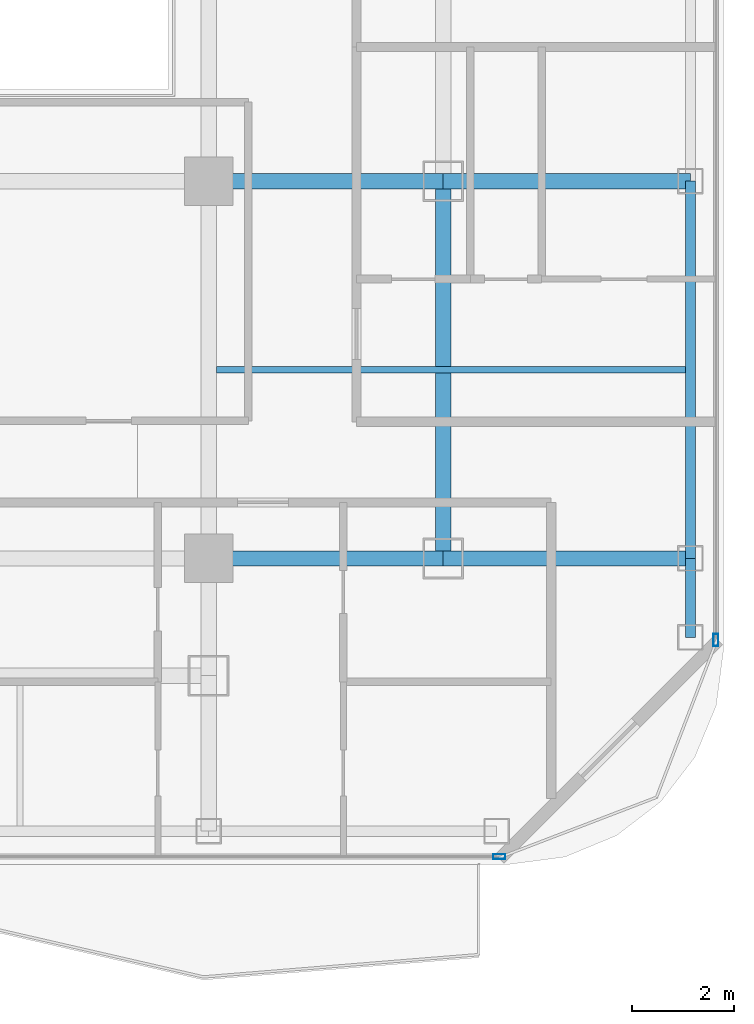
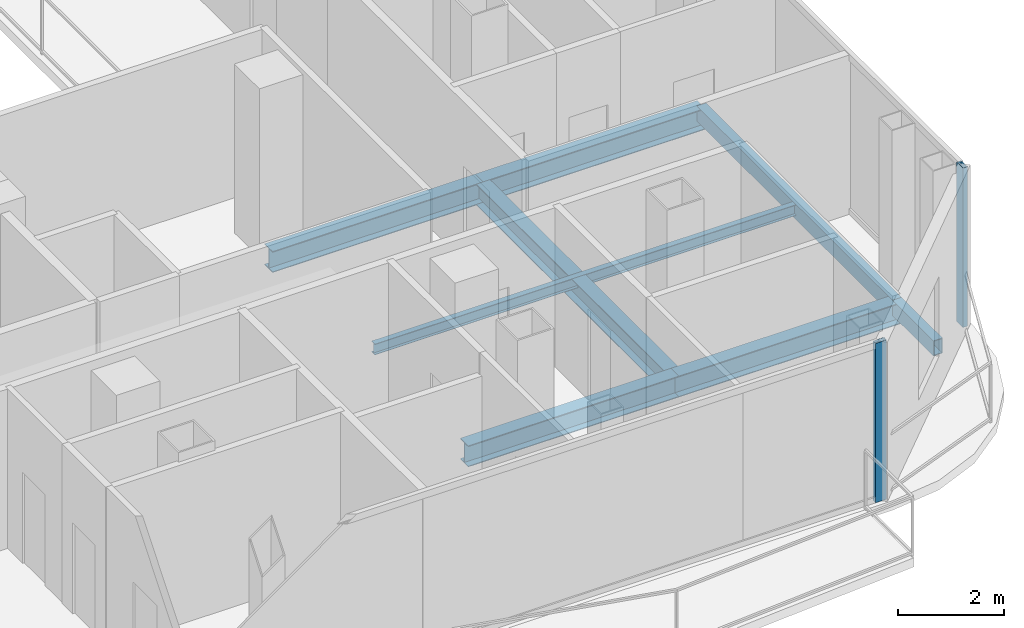
# One storey, part 8 of 26: 8 beams, 2 members, 2 elements without a shape of their own.
"""IFC4 building model written with IfcOpenShell, lengths in metres."""

from ifc_helpers import new_model, si_unit, direction, frame, origin, origin_2d, place, context, subcontext, project, spatial, hollow_rectangle, i_section, extrude, material, layer, layer_set, material_profile, profile_set, type_object, element, aggregate, save


model = new_model("IFC4")

# Units and contexts
model_context = context("Model", 3, precision=1e-05, world=origin(), true_north=direction((0.0, 1.0)))
body_context = subcontext(model_context, "Body", "Model", "MODEL_VIEW")
ifc_project = project(units=[si_unit("LENGTHUNIT", "METRE"), si_unit("AREAUNIT", "SQUARE_METRE"), si_unit("VOLUMEUNIT", "CUBIC_METRE"), si_unit("PLANEANGLEUNIT", "RADIAN"), si_unit("MASSUNIT", "GRAM", prefix="KILO")], contexts=[model_context])

# Site, building, storey
site_placement = place(None, origin())
site = spatial("IfcSite", under=ifc_project, at=site_placement, CompositionType="ELEMENT")
building_placement = place(site_placement, origin())
building = spatial("IfcBuilding", under=site, at=building_placement, Name="Khorvyn Point Tower", CompositionType="ELEMENT")
storey_placement = place(building_placement, frame((0.0, 0.0, 262.5)))
storey = spatial("IfcBuildingStorey", under=building, at=storey_placement, Name="L64", CompositionType="ELEMENT", Elevation=262.5)

# Curtain wall, member
ifc_material_1 = material(Name="Anodised aluminium 6063-T6 and laminated Low-E glass", Category="aluminium")
ifc_layer = layer(ifc_material_1, 0.18994140625)
ifc_layer_set = layer_set([ifc_layer], Name="Stick-Built High-Wind Curtain Wall CW-SYS-04")
curtain_wall_type = type_object("IfcCurtainWallType", Name="Stick-Built High-Wind Curtain Wall CW-SYS-04", PredefinedType="NOTDEFINED", material=ifc_layer_set)
curtain_wall_1_placement = place(storey_placement, origin())
curtain_wall_1 = element("IfcCurtainWall", 1, at=curtain_wall_1_placement, inside=storey, type_object=curtain_wall_type, Name="Curtain Wall", PredefinedType="NOTDEFINED")
ifc_material_2 = material(Name="Anodised aluminium 6063-T6", Category="aluminium")
ifc_material_profile_1 = material_profile(ifc_material_2, hollow_rectangle(XDim=0.10009765625, YDim=0.239990234375, WallThickness=0.0048828125, at=origin_2d()))
ifc_profile_set_1 = profile_set([ifc_material_profile_1], Name="Anodised aluminium 6063-T6 ALU-MUL-100x240")
member_type = type_object("IfcMemberType", Name="Anodised Aluminium 6063-T6 Mullion ALU-MUL-100x240", PredefinedType="MULLION", material=ifc_profile_set_1)
member_1_placement = place(storey_placement, frame((20.5, -20.64990234375, 0.0), z_axis=(0.0, 0.0, 1.0), x_axis=(0.0, -1.0, 0.0)))
member_1 = element("IfcMember", 2, at=member_1_placement, type_object=member_type, Name="Transom", PredefinedType="MULLION", context=body_context, shape_type="SweptSolid", body=[
    extrude(hollow_rectangle(XDim=0.10009765625, YDim=0.239990234375, WallThickness=0.0048828125, at=origin_2d()), origin(), (0.0, 0.0, 1.0), 3.679931640625),
])
aggregate(curtain_wall_1, [member_1])

curtain_wall_2_placement = place(storey_placement, origin())
curtain_wall_2 = element("IfcCurtainWall", 3, at=curtain_wall_2_placement, inside=storey, type_object=curtain_wall_type, Name="Curtain Wall", PredefinedType="NOTDEFINED")
member_2_placement = place(storey_placement, frame((24.75, -16.39990234375, 0.0), z_axis=(0.0, 0.0, 1.0), x_axis=(1.0, 0.0, 0.0)))
member_2 = element("IfcMember", 4, at=member_2_placement, type_object=member_type, Name="Transom", PredefinedType="MULLION", context=body_context, shape_type="SweptSolid", body=[
    extrude(hollow_rectangle(XDim=0.10009765625, YDim=0.239990234375, WallThickness=0.0048828125, at=origin_2d()), origin(), (0.0, 0.0, 1.0), 3.679931640625),
])
aggregate(curtain_wall_2, [member_2])

# Beams
ifc_material_3 = material(Name="Steel S355", Category="steel")
ifc_material_profile_2 = material_profile(ifc_material_3, i_section(OverallWidth=0.125, OverallDepth=0.25, WebThickness=0.006103515625, FlangeThickness=0.009033203125, at=origin_2d()))
ifc_profile_set_2 = profile_set([ifc_material_profile_2], Name="Steel S355 H250x125x6x9")
beam_type_1 = type_object("IfcBeamType", Name="Steel S355 Joist H250x125x6x9", PredefinedType="JOIST", material=ifc_profile_set_2)
beam_1_placement = place(storey_placement, frame((14.949951171875, -11.10009765625, -0.344970703125), z_axis=(1.0, 0.0, 0.0), x_axis=(0.0, 1.0, 0.0)))
element("IfcBeam", 5, at=beam_1_placement, inside=storey, type_object=beam_type_1, Name="Beam", PredefinedType="JOIST", context=body_context, shape_type="SweptSolid", body=[
    extrude(i_section(OverallWidth=0.125, OverallDepth=0.25, WebThickness=0.006103515625, FlangeThickness=0.009033203125, at=origin_2d()), origin(), (0.0, 0.0, 1.0), 9.199951171875),
])
ifc_material_profile_3 = material_profile(ifc_material_3, i_section(OverallWidth=0.300048828125, OverallDepth=0.488037109375, WebThickness=0.010986328125, FlangeThickness=0.01806640625, at=origin_2d()))
ifc_profile_set_3 = profile_set([ifc_material_profile_3], Name="Steel S355 H488x300x11x18")
beam_type_2 = type_object("IfcBeamType", Name="Steel S355 Spandrel H488x300x11x18", PredefinedType="SPANDREL", material=ifc_profile_set_3)
beam_2_placement = place(storey_placement, frame((14.800048828125, -14.800048828125, -0.464111328125), z_axis=(1.0, 0.0, 0.0), x_axis=(0.0, 1.0, 0.0)))
element("IfcBeam", 6, at=beam_2_placement, inside=storey, type_object=beam_type_2, Name="Beam", PredefinedType="SPANDREL", context=body_context, shape_type="SweptSolid", body=[
    extrude(i_section(OverallWidth=0.300048828125, OverallDepth=0.488037109375, WebThickness=0.010986328125, FlangeThickness=0.01806640625, at=origin_2d()), origin(), (0.0, 0.0, 1.0), 4.599853515625),
])
beam_3_placement = place(storey_placement, frame((19.39990234375, -14.800048828125, -0.464111328125), z_axis=(1.0, 0.0, 0.0), x_axis=(0.0, 1.0, 0.0)))
element("IfcBeam", 7, at=beam_3_placement, inside=storey, type_object=beam_type_2, Name="Beam", PredefinedType="SPANDREL", context=body_context, shape_type="SweptSolid", body=[
    extrude(i_section(OverallWidth=0.300048828125, OverallDepth=0.488037109375, WebThickness=0.010986328125, FlangeThickness=0.01806640625, at=origin_2d()), origin(), (0.0, 0.0, 1.0), 4.85009765625),
])
beam_4_placement = place(storey_placement, frame((14.800048828125, -7.39990234375, -0.464111328125), z_axis=(1.0, 0.0, 0.0), x_axis=(0.0, 1.0, 0.0)))
element("IfcBeam", 8, at=beam_4_placement, inside=storey, type_object=beam_type_2, Name="Beam", PredefinedType="SPANDREL", context=body_context, shape_type="SweptSolid", body=[
    extrude(i_section(OverallWidth=0.300048828125, OverallDepth=0.488037109375, WebThickness=0.010986328125, FlangeThickness=0.01806640625, at=origin_2d()), origin(), (0.0, 0.0, 1.0), 4.599853515625),
])
beam_5_placement = place(storey_placement, frame((19.39990234375, -7.39990234375, -0.464111328125), z_axis=(1.0, 0.0, 0.0), x_axis=(0.0, 1.0, 0.0)))
element("IfcBeam", 9, at=beam_5_placement, inside=storey, type_object=beam_type_2, Name="Beam", PredefinedType="SPANDREL", context=body_context, shape_type="SweptSolid", body=[
    extrude(i_section(OverallWidth=0.300048828125, OverallDepth=0.488037109375, WebThickness=0.010986328125, FlangeThickness=0.01806640625, at=origin_2d()), origin(), (0.0, 0.0, 1.0), 4.85009765625),
])
beam_6_placement = place(storey_placement, frame((19.39990234375, -14.800048828125, -0.464111328125), z_axis=(0.0, 1.0, 0.0), x_axis=(-1.0, 0.0, 0.0)))
element("IfcBeam", 10, at=beam_6_placement, inside=storey, type_object=beam_type_2, Name="Beam", PredefinedType="SPANDREL", context=body_context, shape_type="SweptSolid", body=[
    extrude(i_section(OverallWidth=0.300048828125, OverallDepth=0.488037109375, WebThickness=0.010986328125, FlangeThickness=0.01806640625, at=origin_2d()), origin(), (0.0, 0.0, 1.0), 7.400146484375),
])
ifc_material_profile_4 = material_profile(ifc_material_3, hollow_rectangle(XDim=0.199951171875, YDim=0.35009765625, WallThickness=0.013916015625, at=origin_2d()))
ifc_profile_set_4 = profile_set([ifc_material_profile_4], Name="Steel S355 RHS350x200x14")
beam_type_3 = type_object("IfcBeamType", Name="Steel S355 Spandrel RHS350x200x14", PredefinedType="SPANDREL", material=ifc_profile_set_4)
beam_7_placement = place(storey_placement, frame((24.25, -16.35009765625, -0.39501953125), z_axis=(0.0, 1.0, 0.0), x_axis=(-1.0, 0.0, 0.0)))
element("IfcBeam", 11, at=beam_7_placement, inside=storey, type_object=beam_type_3, Name="Beam", PredefinedType="SPANDREL", context=body_context, shape_type="SweptSolid", body=[
    extrude(hollow_rectangle(XDim=0.199951171875, YDim=0.35009765625, WallThickness=0.013916015625, at=origin_2d()), origin(), (0.0, 0.0, 1.0), 1.550048828125),
])
beam_8_placement = place(storey_placement, frame((24.25, -14.800048828125, -0.39501953125), z_axis=(0.0, 1.0, 0.0), x_axis=(-1.0, 0.0, 0.0)))
element("IfcBeam", 12, at=beam_8_placement, inside=storey, type_object=beam_type_3, Name="Beam", PredefinedType="SPANDREL", context=body_context, shape_type="SweptSolid", body=[
    extrude(hollow_rectangle(XDim=0.199951171875, YDim=0.35009765625, WallThickness=0.013916015625, at=origin_2d()), origin(), (0.0, 0.0, 1.0), 7.400146484375),
])

save(model, "model.ifc")
